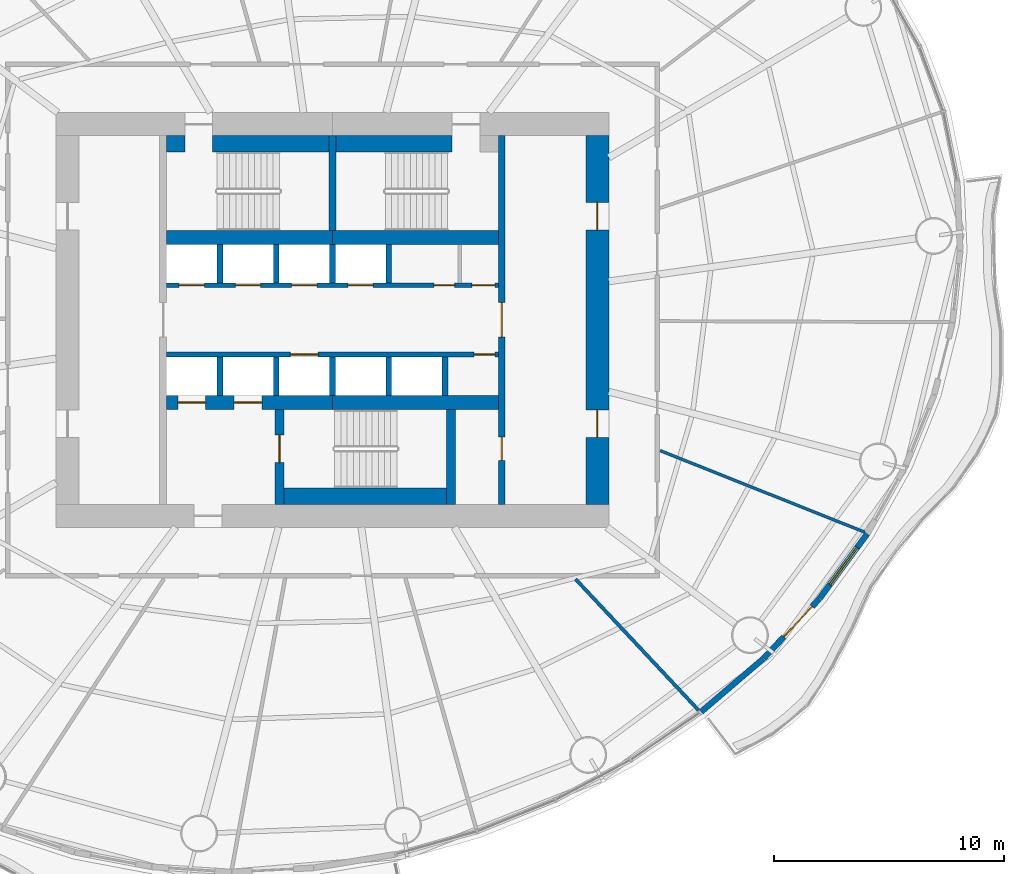
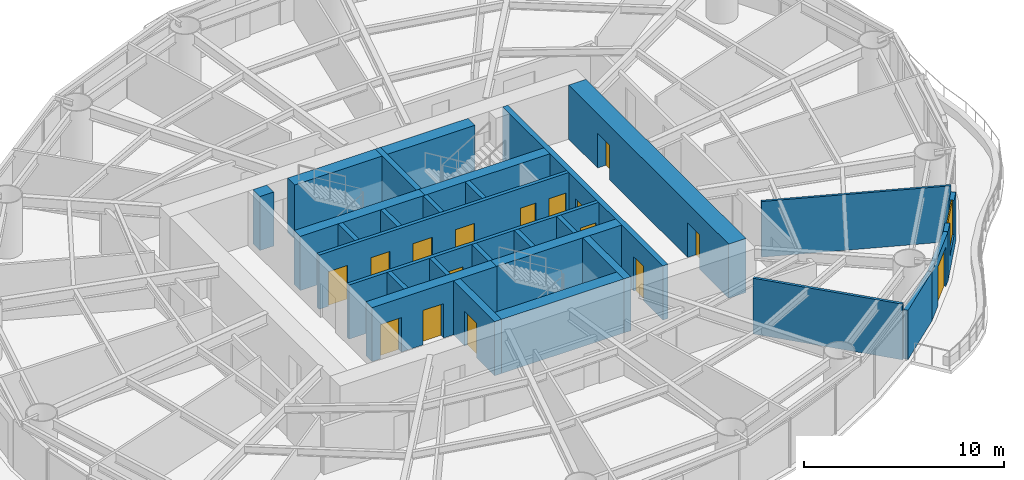
# One storey, part 9 of 14: 29 walls, 16 doors, 1 window, 17 openings.
"""IFC4 building model written with IfcOpenShell, lengths in metres."""

from ifc_helpers import new_model, si_unit, direction, frame, frame_2d, origin, place, context, subcontext, project, spatial, rectangle, extrude, material, layer, layer_set, type_object, element, fill, save


model = new_model("IFC4")

# Units and contexts
model_context = context("Model", 3, precision=1e-05, world=origin(), true_north=direction((0.0, 1.0)))
body_context = subcontext(model_context, "Body", "Model", "MODEL_VIEW")
ifc_project = project(units=[si_unit("LENGTHUNIT", "METRE"), si_unit("AREAUNIT", "SQUARE_METRE"), si_unit("VOLUMEUNIT", "CUBIC_METRE"), si_unit("PLANEANGLEUNIT", "RADIAN"), si_unit("MASSUNIT", "GRAM", prefix="KILO")], contexts=[model_context])

# Site, building, storey
site_placement = place(None, origin())
site = spatial("IfcSite", under=ifc_project, at=site_placement, CompositionType="ELEMENT")
building_placement = place(site_placement, origin())
building = spatial("IfcBuilding", under=site, at=building_placement, Name="Vermilion Reach Broadcast Tower", CompositionType="ELEMENT")
storey_placement = place(building_placement, frame((0.0, 0.0, 131.800048828125)))
storey = spatial("IfcBuildingStorey", under=building, at=storey_placement, Name="L31", CompositionType="ELEMENT", Elevation=131.800048828125)

# Wall, openings, doors
ifc_material_1 = material(Name="Concrete C70", Category="concrete")
ifc_layer_1 = layer(ifc_material_1, 0.300048828125)
ifc_layer_set_1 = layer_set([ifc_layer_1], Name="Core inner wall 300 mm Concrete C70")
wall_type_1 = type_object("IfcWallType", Name="Core inner wall 300 mm Concrete C70", PredefinedType="SHEAR", material=ifc_layer_set_1)
wall_1_placement = place(storey_placement, frame((1.35009765625, -8.0, 0.0), z_axis=(0.0, 0.0, 1.0), x_axis=(0.0, 1.0, 0.0)))
wall_1 = element("IfcWall", 1, at=wall_1_placement, inside=storey, type_object=wall_type_1, Name="L31 core wall ewE", PredefinedType="SHEAR", context=body_context, shape_type="SweptSolid", body=[
    extrude(rectangle(XDim=16.0, YDim=0.300048828125, at=frame_2d((8.0, 0.0))), origin(), (0.0, 0.0, 1.0), 3.300048828125),
])
opening_1_placement = place(wall_1_placement, frame((1.909912109375, 0.0, 0.0)))
opening_1 = element("IfcOpeningElement", 2, at=opening_1_placement, cuts=wall_1, Name="Opening D05", PredefinedType="OPENING", context=body_context, shape_type="SweptSolid", body=[
    extrude(rectangle(XDim=1.0, YDim=2.10009765625, at=frame_2d((0.5, 1.050048828125))), frame((0.0, 0.159912109375, 0.0), z_axis=(0.0, -1.0, 0.0), x_axis=(1.0, 0.0, 0.0)), (0.0, 0.0, 1.0), 0.320068359375),
])
opening_2_placement = place(wall_1_placement, frame((7.25, 0.0, 0.0)))
opening_2 = element("IfcOpeningElement", 3, at=opening_2_placement, cuts=wall_1, Name="Opening D04", PredefinedType="OPENING", context=body_context, shape_type="SweptSolid", body=[
    extrude(rectangle(XDim=1.5, YDim=2.10009765625, at=frame_2d((0.75, 1.050048828125))), frame((0.0, 0.159912109375, 0.0), z_axis=(0.0, -1.0, 0.0), x_axis=(1.0, 0.0, 0.0)), (0.0, 0.0, 1.0), 0.320068359375),
])
ifc_material_2 = material(Name="Painted steel fire door", Category="steel")
door_type_1 = type_object("IfcDoorType", Name="Lift lobby door 1500 x 2100", OperationType="DOUBLE_DOOR_SINGLE_SWING", PredefinedType="NOTDEFINED", material=ifc_material_2)
door_1_placement = place(opening_2_placement, origin())
door_1 = element("IfcDoor", 4, at=door_1_placement, inside=storey, type_object=door_type_1, Name="L31 band door BE", OperationType="DOUBLE_DOOR_SINGLE_SWING", OverallHeight=2.10009765625, OverallWidth=1.5, PredefinedType="NOTDEFINED", context=body_context, shape_type="SweptSolid", body=[
    extrude(rectangle(XDim=1.5, YDim=2.10009765625, at=frame_2d((0.75, 1.050048828125))), frame((0.0, 0.02490234375, 0.0), z_axis=(0.0, -1.0, 0.0), x_axis=(1.0, 0.0, 0.0)), (0.0, 0.0, 1.0), 0.050048828125),
])
fill(opening_2, door_1)
ifc_material_3 = material(Name="Timber door", Category="wood")
door_type_2 = type_object("IfcDoorType", Name="Room door 1000 x 2100", OperationType="NOTDEFINED", PredefinedType="NOTDEFINED", material=ifc_material_3)
door_2_placement = place(opening_1_placement, origin())
door_2 = element("IfcDoor", 5, at=door_2_placement, inside=storey, type_object=door_type_2, Name="L31 door SER", OperationType="SINGLE_SWING_LEFT", OverallHeight=2.10009765625, OverallWidth=1.0, PredefinedType="NOTDEFINED", context=body_context, shape_type="SweptSolid", body=[
    extrude(rectangle(XDim=1.0, YDim=2.10009765625, at=frame_2d((0.5, 1.050048828125))), frame((0.0, 0.02490234375, 0.0), z_axis=(0.0, -1.0, 0.0), x_axis=(1.0, 0.0, 0.0)), (0.0, 0.0, 1.0), 0.050048828125),
])
fill(opening_1, door_2)

# Wall
wall_2_placement = place(storey_placement, frame((-6.0, 3.8798828125, 0.0), z_axis=(0.0, 0.0, 1.0), x_axis=(0.0, 1.0, 0.0)))
element("IfcWall", 6, at=wall_2_placement, inside=storey, type_object=wall_type_1, Name="L31 core wall wc", PredefinedType="SHEAR", context=body_context, shape_type="SweptSolid", body=[
    extrude(rectangle(XDim=4.1201171875, YDim=0.300048828125, at=frame_2d((2.06005859375, 0.0))), origin(), (0.0, 0.0, 1.0), 3.300048828125),
])

# Wall, opening, door
ifc_material_4 = material(Name="Concrete C70", Category="concrete")
ifc_layer_2 = layer(ifc_material_4, 0.39990234375)
ifc_layer_set_2 = layer_set([ifc_layer_2], Name="Core inner wall 400 mm Concrete C70")
wall_type_2 = type_object("IfcWallType", Name="Core inner wall 400 mm Concrete C70", PredefinedType="SHEAR", material=ifc_layer_set_2)
wall_3_placement = place(storey_placement, frame((-8.300048828125, -3.8798828125, 0.0), z_axis=(0.0, 0.0, 1.0), x_axis=(0.0, -1.0, 0.0)))
wall_3 = element("IfcWall", 7, at=wall_3_placement, inside=storey, type_object=wall_type_2, Name="L31 core wall wa", PredefinedType="SHEAR", context=body_context, shape_type="SweptSolid", body=[
    extrude(rectangle(XDim=4.1201171875, YDim=0.39990234375, at=frame_2d((2.06005859375, 0.0))), origin(), (0.0, 0.0, 1.0), 3.300048828125),
])
opening_3_placement = place(wall_3_placement, frame((1.110107421875, 0.0, 0.0)))
opening_3 = element("IfcOpeningElement", 8, at=opening_3_placement, cuts=wall_3, Name="Opening D01", PredefinedType="OPENING", context=body_context, shape_type="SweptSolid", body=[
    extrude(rectangle(XDim=1.199951171875, YDim=2.10009765625, at=frame_2d((0.60009765625, 1.050048828125))), frame((0.0, 0.2099609375, 0.0), z_axis=(0.0, -1.0, 0.0), x_axis=(1.0, 0.0, 0.0)), (0.0, 0.0, 1.0), 0.419921875),
])
ifc_material_5 = material(Name="Painted steel fire door", Category="steel")
door_type_3 = type_object("IfcDoorType", Name="Stair door 1200 x 2100", OperationType="DOUBLE_DOOR_SINGLE_SWING", PredefinedType="NOTDEFINED", material=ifc_material_5)
door_3_placement = place(opening_3_placement, origin())
door_3 = element("IfcDoor", 9, at=door_3_placement, inside=storey, type_object=door_type_3, Name="L31 stair door ST3", OperationType="DOUBLE_DOOR_SINGLE_SWING", OverallHeight=2.10009765625, OverallWidth=1.199951171875, PredefinedType="NOTDEFINED", context=body_context, shape_type="SweptSolid", body=[
    extrude(rectangle(XDim=1.199951171875, YDim=2.10009765625, at=frame_2d((0.60009765625, 1.050048828125))), frame((0.0, 0.02490234375, 0.0), z_axis=(0.0, -1.0, 0.0), x_axis=(1.0, 0.0, 0.0)), (0.0, 0.0, 1.0), 0.050048828125),
])
fill(opening_3, door_3)

# Walls
wall_4_placement = place(storey_placement, frame((-0.85009765625, -3.8798828125, 0.0), z_axis=(0.0, 0.0, 1.0), x_axis=(0.0, -1.0, 0.0)))
element("IfcWall", 10, at=wall_4_placement, inside=storey, type_object=wall_type_2, Name="L31 core wall wb", PredefinedType="SHEAR", context=body_context, shape_type="SweptSolid", body=[
    extrude(rectangle(XDim=4.1201171875, YDim=0.39990234375, at=frame_2d((2.06005859375, 0.0))), origin(), (0.0, 0.0, 1.0), 3.300048828125),
])
ifc_material_6 = material(Name="Concrete C70", Category="concrete")
ifc_layer_3 = layer(ifc_material_6, 0.60009765625)
ifc_layer_set_3 = layer_set([ifc_layer_3], Name="Core inner wall 600 mm Concrete C70")
wall_type_3 = type_object("IfcWallType", Name="Core inner wall 600 mm Concrete C70", PredefinedType="SHEAR", material=ifc_layer_set_3)
for number, where, z_axis, x_axis, name in (
    (11, (-13.199951171875, 3.580078125, 0.0), (0.0, 0.0, 1.0), (1.0, 0.0, 0.0), "L31 core wall winW"),
    (12, (-6.0, 3.580078125, 0.0), (0.0, 0.0, 1.0), (1.0, 0.0, 0.0), "L31 core wall winE"),
):
    element("IfcWall", number, at=place(storey_placement, frame(where, z_axis=z_axis, x_axis=x_axis)), inside=storey, type_object=wall_type_3, Name=name, PredefinedType="SHEAR", context=body_context, shape_type="SweptSolid", body=[
        extrude(rectangle(XDim=7.199951171875, YDim=0.60009765625, at=frame_2d((3.60009765625, 0.0))), origin(), (0.0, 0.0, 1.0), 3.300048828125),
    ])

# Wall, openings, doors
wall_5_placement = place(storey_placement, frame((-13.199951171875, -3.580078125, 0.0), z_axis=(0.0, 0.0, 1.0), x_axis=(1.0, 0.0, 0.0)))
wall_5 = element("IfcWall", 13, at=wall_5_placement, inside=storey, type_object=wall_type_3, Name="L31 core wall wisW", PredefinedType="SHEAR", context=body_context, shape_type="SweptSolid", body=[
    extrude(rectangle(XDim=7.199951171875, YDim=0.60009765625, at=frame_2d((3.60009765625, 0.0))), origin(), (0.0, 0.0, 1.0), 3.300048828125),
])
opening_4_placement = place(wall_5_placement, frame((0.495849609375, 0.0, 0.0)))
opening_4 = element("IfcOpeningElement", 14, at=opening_4_placement, cuts=wall_5, Name="Opening LD1", PredefinedType="OPENING", context=body_context, shape_type="SweptSolid", body=[
    extrude(rectangle(XDim=1.199951171875, YDim=2.10009765625, at=frame_2d((0.60009765625, 1.050048828125))), frame((0.0, 0.31005859375, 0.0), z_axis=(0.0, -1.0, 0.0), x_axis=(1.0, 0.0, 0.0)), (0.0, 0.0, 1.0), 0.6201171875),
])
opening_5_placement = place(wall_5_placement, frame((2.9375, 0.0, 0.0)))
opening_5 = element("IfcOpeningElement", 15, at=opening_5_placement, cuts=wall_5, Name="Opening LD1", PredefinedType="OPENING", context=body_context, shape_type="SweptSolid", body=[
    extrude(rectangle(XDim=1.199951171875, YDim=2.10009765625, at=frame_2d((0.60009765625, 1.050048828125))), frame((0.0, 0.31005859375, 0.0), z_axis=(0.0, -1.0, 0.0), x_axis=(1.0, 0.0, 0.0)), (0.0, 0.0, 1.0), 0.6201171875),
])
ifc_material_7 = material(Name="Stainless steel", Category="steel")
door_type_4 = type_object("IfcDoorType", Name="Landing door 1200 x 2100", OperationType="DOUBLE_DOOR_SLIDING", PredefinedType="NOTDEFINED", material=ifc_material_7)
door_4_placement = place(opening_4_placement, origin())
door_4 = element("IfcDoor", 16, at=door_4_placement, inside=storey, type_object=door_type_4, Name="L31 landing door FF1", OperationType="DOUBLE_DOOR_SLIDING", OverallHeight=2.10009765625, OverallWidth=1.199951171875, PredefinedType="NOTDEFINED", context=body_context, shape_type="SweptSolid", body=[
    extrude(rectangle(XDim=1.199951171875, YDim=2.10009765625, at=frame_2d((0.60009765625, 1.050048828125))), frame((0.0, 0.02490234375, 0.0), z_axis=(0.0, -1.0, 0.0), x_axis=(1.0, 0.0, 0.0)), (0.0, 0.0, 1.0), 0.050048828125),
])
fill(opening_4, door_4)
door_5_placement = place(opening_5_placement, origin())
door_5 = element("IfcDoor", 17, at=door_5_placement, inside=storey, type_object=door_type_4, Name="L31 landing door FF2", OperationType="DOUBLE_DOOR_SLIDING", OverallHeight=2.10009765625, OverallWidth=1.199951171875, PredefinedType="NOTDEFINED", context=body_context, shape_type="SweptSolid", body=[
    extrude(rectangle(XDim=1.199951171875, YDim=2.10009765625, at=frame_2d((0.60009765625, 1.050048828125))), frame((0.0, 0.02490234375, 0.0), z_axis=(0.0, -1.0, 0.0), x_axis=(1.0, 0.0, 0.0)), (0.0, 0.0, 1.0), 0.050048828125),
])
fill(opening_5, door_5)

# Wall
wall_6_placement = place(storey_placement, frame((-6.0, -3.580078125, 0.0), z_axis=(0.0, 0.0, 1.0), x_axis=(1.0, 0.0, 0.0)))
element("IfcWall", 18, at=wall_6_placement, inside=storey, type_object=wall_type_3, Name="L31 core wall wisE", PredefinedType="SHEAR", context=body_context, shape_type="SweptSolid", body=[
    extrude(rectangle(XDim=7.199951171875, YDim=0.60009765625, at=frame_2d((3.60009765625, 0.0))), origin(), (0.0, 0.0, 1.0), 3.300048828125),
])

# Wall, openings, doors
ifc_material_8 = material(Name="Concrete C70", Category="concrete")
ifc_layer_4 = layer(ifc_material_8, 1.0)
ifc_layer_set_4 = layer_set([ifc_layer_4], Name="Core outer wall 1000 mm Concrete C70")
wall_type_4 = type_object("IfcWallType", Name="Core outer wall 1000 mm Concrete C70", PredefinedType="SHEAR", material=ifc_layer_set_4)
wall_7_placement = place(storey_placement, frame((5.5, -8.0, 0.0), z_axis=(0.0, 0.0, 1.0), x_axis=(0.0, 1.0, 0.0)))
wall_7 = element("IfcWall", 19, at=wall_7_placement, inside=storey, type_object=wall_type_4, Name="L31 core wall oe", PredefinedType="SHEAR", context=body_context, shape_type="SweptSolid", body=[
    extrude(rectangle(XDim=16.0, YDim=1.0, at=frame_2d((8.0, 0.0))), origin(), (0.0, 0.0, 1.0), 3.300048828125),
])
opening_6_placement = place(wall_7_placement, frame((2.89990234375, 0.0, 0.0)))
opening_6 = element("IfcOpeningElement", 20, at=opening_6_placement, cuts=wall_7, Name="Opening D03", PredefinedType="OPENING", context=body_context, shape_type="SweptSolid", body=[
    extrude(rectangle(XDim=1.199951171875, YDim=2.10009765625, at=frame_2d((0.60009765625, 1.050048828125))), frame((0.0, 0.510009765625, 0.0), z_axis=(0.0, -1.0, 0.0), x_axis=(1.0, 0.0, 0.0)), (0.0, 0.0, 1.0), 1.02001953125),
])
opening_7_placement = place(wall_7_placement, frame((11.89990234375, 0.0, 0.0)))
opening_7 = element("IfcOpeningElement", 21, at=opening_7_placement, cuts=wall_7, Name="Opening D03", PredefinedType="OPENING", context=body_context, shape_type="SweptSolid", body=[
    extrude(rectangle(XDim=1.199951171875, YDim=2.10009765625, at=frame_2d((0.60009765625, 1.050048828125))), frame((0.0, 0.510009765625, 0.0), z_axis=(0.0, -1.0, 0.0), x_axis=(1.0, 0.0, 0.0)), (0.0, 0.0, 1.0), 1.02001953125),
])
ifc_material_9 = material(Name="Painted steel fire door", Category="steel")
door_type_5 = type_object("IfcDoorType", Name="Core lobby door 1200 x 2100", OperationType="DOUBLE_DOOR_SINGLE_SWING", PredefinedType="NOTDEFINED", material=ifc_material_9)
door_6_placement = place(opening_6_placement, origin())
door_6 = element("IfcDoor", 22, at=door_6_placement, inside=storey, type_object=door_type_5, Name="L31 slot door E0", OperationType="DOUBLE_DOOR_SINGLE_SWING", OverallHeight=2.10009765625, OverallWidth=1.199951171875, PredefinedType="NOTDEFINED", context=body_context, shape_type="SweptSolid", body=[
    extrude(rectangle(XDim=1.199951171875, YDim=2.10009765625, at=frame_2d((0.60009765625, 1.050048828125))), frame((0.0, 0.02490234375, 0.0), z_axis=(0.0, -1.0, 0.0), x_axis=(1.0, 0.0, 0.0)), (0.0, 0.0, 1.0), 0.050048828125),
])
fill(opening_6, door_6)
door_7_placement = place(opening_7_placement, origin())
door_7 = element("IfcDoor", 23, at=door_7_placement, inside=storey, type_object=door_type_5, Name="L31 slot door E1", OperationType="DOUBLE_DOOR_SINGLE_SWING", OverallHeight=2.10009765625, OverallWidth=1.199951171875, PredefinedType="NOTDEFINED", context=body_context, shape_type="SweptSolid", body=[
    extrude(rectangle(XDim=1.199951171875, YDim=2.10009765625, at=frame_2d((0.60009765625, 1.050048828125))), frame((0.0, 0.02490234375, 0.0), z_axis=(0.0, -1.0, 0.0), x_axis=(1.0, 0.0, 0.0)), (0.0, 0.0, 1.0), 0.050048828125),
])
fill(opening_7, door_7)

ifc_material_10 = material(Name="Concrete C50", Category="concrete")
ifc_layer_5 = layer(ifc_material_10, 0.199951171875)
ifc_layer_set_5 = layer_set([ifc_layer_5], Name="Core shaft wall 200 mm Concrete C50")
wall_type_5 = type_object("IfcWallType", Name="Core shaft wall 200 mm Concrete C50", PredefinedType="SHEAR", material=ifc_layer_set_5)
wall_8_placement = place(storey_placement, frame((-13.199951171875, 1.5, 0.0), z_axis=(0.0, 0.0, 1.0), x_axis=(1.0, 0.0, 0.0)))
wall_8 = element("IfcWall", 24, at=wall_8_placement, inside=storey, type_object=wall_type_5, Name="L31 core wall fn", PredefinedType="SHEAR", context=body_context, shape_type="SweptSolid", body=[
    extrude(rectangle(XDim=14.39990234375, YDim=0.199951171875, at=frame_2d((7.199951171875, 0.0))), origin(), (0.0, 0.0, 1.0), 3.300048828125),
])
opening_8_placement = place(wall_8_placement, frame((0.5458984375, 0.0, 0.0)))
opening_8 = element("IfcOpeningElement", 25, at=opening_8_placement, cuts=wall_8, Name="Opening LD2", PredefinedType="OPENING", context=body_context, shape_type="SweptSolid", body=[
    extrude(rectangle(XDim=1.10009765625, YDim=2.10009765625, at=frame_2d((0.550048828125, 1.050048828125))), frame((0.0, 0.10986328125, 0.0), z_axis=(0.0, -1.0, 0.0), x_axis=(1.0, 0.0, 0.0)), (0.0, 0.0, 1.0), 0.219970703125),
])
opening_9_placement = place(wall_8_placement, frame((2.987548828125, 0.0, 0.0)))
opening_9 = element("IfcOpeningElement", 26, at=opening_9_placement, cuts=wall_8, Name="Opening LD2", PredefinedType="OPENING", context=body_context, shape_type="SweptSolid", body=[
    extrude(rectangle(XDim=1.10009765625, YDim=2.10009765625, at=frame_2d((0.550048828125, 1.050048828125))), frame((0.0, 0.10986328125, 0.0), z_axis=(0.0, -1.0, 0.0), x_axis=(1.0, 0.0, 0.0)), (0.0, 0.0, 1.0), 0.219970703125),
])
opening_10_placement = place(wall_8_placement, frame((5.42919921875, 0.0, 0.0)))
opening_10 = element("IfcOpeningElement", 27, at=opening_10_placement, cuts=wall_8, Name="Opening LD2", PredefinedType="OPENING", context=body_context, shape_type="SweptSolid", body=[
    extrude(rectangle(XDim=1.10009765625, YDim=2.10009765625, at=frame_2d((0.550048828125, 1.050048828125))), frame((0.0, 0.10986328125, 0.0), z_axis=(0.0, -1.0, 0.0), x_axis=(1.0, 0.0, 0.0)), (0.0, 0.0, 1.0), 0.219970703125),
])
opening_11_placement = place(wall_8_placement, frame((7.870849609375, 0.0, 0.0)))
opening_11 = element("IfcOpeningElement", 28, at=opening_11_placement, cuts=wall_8, Name="Opening LD2", PredefinedType="OPENING", context=body_context, shape_type="SweptSolid", body=[
    extrude(rectangle(XDim=1.10009765625, YDim=2.10009765625, at=frame_2d((0.550048828125, 1.050048828125))), frame((0.0, 0.10986328125, 0.0), z_axis=(0.0, -1.0, 0.0), x_axis=(1.0, 0.0, 0.0)), (0.0, 0.0, 1.0), 0.219970703125),
])
opening_12_placement = place(wall_8_placement, frame((11.60693359375, 0.0, 0.0)))
opening_12 = element("IfcOpeningElement", 29, at=opening_12_placement, cuts=wall_8, Name="Opening D06", PredefinedType="OPENING", context=body_context, shape_type="SweptSolid", body=[
    extrude(rectangle(XDim=0.89990234375, YDim=2.10009765625, at=frame_2d((0.449951171875, 1.050048828125))), frame((0.0, 0.10986328125, 0.0), z_axis=(0.0, -1.0, 0.0), x_axis=(1.0, 0.0, 0.0)), (0.0, 0.0, 1.0), 0.219970703125),
])
opening_13_placement = place(wall_8_placement, frame((13.25, 0.0, 0.0)))
opening_13 = element("IfcOpeningElement", 30, at=opening_13_placement, cuts=wall_8, Name="Opening D07", PredefinedType="OPENING", context=body_context, shape_type="SweptSolid", body=[
    extrude(rectangle(XDim=1.0, YDim=2.10009765625, at=frame_2d((0.5, 1.050048828125))), frame((0.0, 0.10986328125, 0.0), z_axis=(0.0, -1.0, 0.0), x_axis=(1.0, 0.0, 0.0)), (0.0, 0.0, 1.0), 0.219970703125),
])
ifc_material_11 = material(Name="Timber door", Category="wood")
door_type_6 = type_object("IfcDoorType", Name="Accessible WC door 1000 x 2100", OperationType="NOTDEFINED", PredefinedType="NOTDEFINED", material=ifc_material_11)
door_8_placement = place(opening_13_placement, origin())
door_8 = element("IfcDoor", 31, at=door_8_placement, inside=storey, type_object=door_type_6, Name="L31 door Accessible WC", OperationType="SINGLE_SWING_RIGHT", OverallHeight=2.10009765625, OverallWidth=1.0, PredefinedType="NOTDEFINED", context=body_context, shape_type="SweptSolid", body=[
    extrude(rectangle(XDim=1.0, YDim=2.10009765625, at=frame_2d((0.5, 1.050048828125))), frame((0.0, 0.02490234375, 0.0), z_axis=(0.0, -1.0, 0.0), x_axis=(1.0, 0.0, 0.0)), (0.0, 0.0, 1.0), 0.050048828125),
])
fill(opening_13, door_8)
ifc_material_12 = material(Name="Stainless steel", Category="steel")
door_type_7 = type_object("IfcDoorType", Name="Landing door 1100 x 2100", OperationType="DOUBLE_DOOR_SLIDING", PredefinedType="NOTDEFINED", material=ifc_material_12)
door_9_placement = place(opening_8_placement, origin())
door_9 = element("IfcDoor", 32, at=door_9_placement, inside=storey, type_object=door_type_7, Name="L31 landing door LR1", OperationType="DOUBLE_DOOR_SLIDING", OverallHeight=2.10009765625, OverallWidth=1.10009765625, PredefinedType="NOTDEFINED", context=body_context, shape_type="SweptSolid", body=[
    extrude(rectangle(XDim=1.10009765625, YDim=2.10009765625, at=frame_2d((0.550048828125, 1.050048828125))), frame((0.0, 0.02490234375, 0.0), z_axis=(0.0, -1.0, 0.0), x_axis=(1.0, 0.0, 0.0)), (0.0, 0.0, 1.0), 0.050048828125),
])
fill(opening_8, door_9)
door_10_placement = place(opening_9_placement, origin())
door_10 = element("IfcDoor", 33, at=door_10_placement, inside=storey, type_object=door_type_7, Name="L31 landing door LR2", OperationType="DOUBLE_DOOR_SLIDING", OverallHeight=2.10009765625, OverallWidth=1.10009765625, PredefinedType="NOTDEFINED", context=body_context, shape_type="SweptSolid", body=[
    extrude(rectangle(XDim=1.10009765625, YDim=2.10009765625, at=frame_2d((0.550048828125, 1.050048828125))), frame((0.0, 0.02490234375, 0.0), z_axis=(0.0, -1.0, 0.0), x_axis=(1.0, 0.0, 0.0)), (0.0, 0.0, 1.0), 0.050048828125),
])
fill(opening_9, door_10)
door_11_placement = place(opening_10_placement, origin())
door_11 = element("IfcDoor", 34, at=door_11_placement, inside=storey, type_object=door_type_7, Name="L31 landing door LR3", OperationType="DOUBLE_DOOR_SLIDING", OverallHeight=2.10009765625, OverallWidth=1.10009765625, PredefinedType="NOTDEFINED", context=body_context, shape_type="SweptSolid", body=[
    extrude(rectangle(XDim=1.10009765625, YDim=2.10009765625, at=frame_2d((0.550048828125, 1.050048828125))), frame((0.0, 0.02490234375, 0.0), z_axis=(0.0, -1.0, 0.0), x_axis=(1.0, 0.0, 0.0)), (0.0, 0.0, 1.0), 0.050048828125),
])
fill(opening_10, door_11)
door_12_placement = place(opening_11_placement, origin())
door_12 = element("IfcDoor", 35, at=door_12_placement, inside=storey, type_object=door_type_7, Name="L31 landing door LR4", OperationType="DOUBLE_DOOR_SLIDING", OverallHeight=2.10009765625, OverallWidth=1.10009765625, PredefinedType="NOTDEFINED", context=body_context, shape_type="SweptSolid", body=[
    extrude(rectangle(XDim=1.10009765625, YDim=2.10009765625, at=frame_2d((0.550048828125, 1.050048828125))), frame((0.0, 0.02490234375, 0.0), z_axis=(0.0, -1.0, 0.0), x_axis=(1.0, 0.0, 0.0)), (0.0, 0.0, 1.0), 0.050048828125),
])
fill(opening_11, door_12)
ifc_material_13 = material(Name="Timber door", Category="wood")
door_type_8 = type_object("IfcDoorType", Name="WC door 900 x 2100", OperationType="NOTDEFINED", PredefinedType="NOTDEFINED", material=ifc_material_13)
door_13_placement = place(opening_12_placement, origin())
door_13 = element("IfcDoor", 36, at=door_13_placement, inside=storey, type_object=door_type_8, Name="L31 door Female WC", OperationType="SINGLE_SWING_RIGHT", OverallHeight=2.10009765625, OverallWidth=0.89990234375, PredefinedType="NOTDEFINED", context=body_context, shape_type="SweptSolid", body=[
    extrude(rectangle(XDim=0.89990234375, YDim=2.10009765625, at=frame_2d((0.449951171875, 1.050048828125))), frame((0.0, 0.02490234375, 0.0), z_axis=(0.0, -1.0, 0.0), x_axis=(1.0, 0.0, 0.0)), (0.0, 0.0, 1.0), 0.050048828125),
])
fill(opening_12, door_13)

wall_9_placement = place(storey_placement, frame((1.199951171875, -1.5, 0.0), z_axis=(0.0, 0.0, 1.0), x_axis=(-1.0, 0.0, 0.0)))
wall_9 = element("IfcWall", 37, at=wall_9_placement, inside=storey, type_object=wall_type_5, Name="L31 core wall fs", PredefinedType="SHEAR", context=body_context, shape_type="SweptSolid", body=[
    extrude(rectangle(XDim=14.39990234375, YDim=0.199951171875, at=frame_2d((7.199951171875, 0.0))), origin(), (0.0, 0.0, 1.0), 3.300048828125),
])
opening_14_placement = place(wall_9_placement, frame((7.82080078125, 0.0, 0.0)))
opening_14 = element("IfcOpeningElement", 38, at=opening_14_placement, cuts=wall_9, Name="Opening LD1", PredefinedType="OPENING", context=body_context, shape_type="SweptSolid", body=[
    extrude(rectangle(XDim=1.199951171875, YDim=2.10009765625, at=frame_2d((0.60009765625, 1.050048828125))), frame((0.0, 0.10986328125, 0.0), z_axis=(0.0, -1.0, 0.0), x_axis=(1.0, 0.0, 0.0)), (0.0, 0.0, 1.0), 0.219970703125),
])
opening_15_placement = place(wall_9_placement, frame((0.14990234375, 0.0, 0.0)))
opening_15 = element("IfcOpeningElement", 39, at=opening_15_placement, cuts=wall_9, Name="Opening D06", PredefinedType="OPENING", context=body_context, shape_type="SweptSolid", body=[
    extrude(rectangle(XDim=0.89990234375, YDim=2.10009765625, at=frame_2d((0.449951171875, 1.050048828125))), frame((0.0, 0.10986328125, 0.0), z_axis=(0.0, -1.0, 0.0), x_axis=(1.0, 0.0, 0.0)), (0.0, 0.0, 1.0), 0.219970703125),
])
door_14_placement = place(opening_14_placement, origin())
door_14 = element("IfcDoor", 40, at=door_14_placement, inside=storey, type_object=door_type_4, Name="L31 landing door SV1", OperationType="DOUBLE_DOOR_SLIDING", OverallHeight=2.10009765625, OverallWidth=1.199951171875, PredefinedType="NOTDEFINED", context=body_context, shape_type="SweptSolid", body=[
    extrude(rectangle(XDim=1.199951171875, YDim=2.10009765625, at=frame_2d((0.60009765625, 1.050048828125))), frame((0.0, 0.02490234375, 0.0), z_axis=(0.0, -1.0, 0.0), x_axis=(1.0, 0.0, 0.0)), (0.0, 0.0, 1.0), 0.050048828125),
])
fill(opening_14, door_14)
door_15_placement = place(opening_15_placement, origin())
door_15 = element("IfcDoor", 41, at=door_15_placement, inside=storey, type_object=door_type_8, Name="L31 door Male WC", OperationType="SINGLE_SWING_LEFT", OverallHeight=2.10009765625, OverallWidth=0.89990234375, PredefinedType="NOTDEFINED", context=body_context, shape_type="SweptSolid", body=[
    extrude(rectangle(XDim=0.89990234375, YDim=2.10009765625, at=frame_2d((0.449951171875, 1.050048828125))), frame((0.0, 0.02490234375, 0.0), z_axis=(0.0, -1.0, 0.0), x_axis=(1.0, 0.0, 0.0)), (0.0, 0.0, 1.0), 0.050048828125),
])
fill(opening_15, door_15)

# Walls
ifc_material_14 = material(Name="Concrete C50", Category="concrete")
ifc_layer_6 = layer(ifc_material_14, 0.25)
ifc_layer_set_6 = layer_set([ifc_layer_6], Name="Core shaft wall 250 mm Concrete C50")
wall_type_6 = type_object("IfcWallType", Name="Core shaft wall 250 mm Concrete C50", PredefinedType="SHEAR", material=ifc_layer_set_6)
for number, where, z_axis, x_axis, name in (
    (42, (-10.88330078125, 1.60009765625, 0.0), (0.0, 0.0, 1.0), (0.0, 1.0, 0.0), "L31 core wall psN0"),
    (43, (-8.441650390625, 1.60009765625, 0.0), (0.0, 0.0, 1.0), (0.0, 1.0, 0.0), "L31 core wall psN1"),
    (44, (-6.0, 1.60009765625, 0.0), (0.0, 0.0, 1.0), (0.0, 1.0, 0.0), "L31 core wall psN2"),
    (45, (-3.558349609375, 1.60009765625, 0.0), (0.0, 0.0, 1.0), (0.0, 1.0, 0.0), "L31 core wall psN3"),
    (46, (-10.88330078125, -1.60009765625, 0.0), (0.0, 0.0, 1.0), (0.0, -1.0, 0.0), "L31 core wall psS0"),
    (47, (-8.441650390625, -1.60009765625, 0.0), (0.0, 0.0, 1.0), (0.0, -1.0, 0.0), "L31 core wall psS1"),
    (48, (-6.0, -1.60009765625, 0.0), (0.0, 0.0, 1.0), (0.0, -1.0, 0.0), "L31 core wall psS2"),
    (49, (-3.558349609375, -1.60009765625, 0.0), (0.0, 0.0, 1.0), (0.0, -1.0, 0.0), "L31 core wall psS3"),
    (50, (-1.11669921875, -1.60009765625, 0.0), (0.0, 0.0, 1.0), (0.0, -1.0, 0.0), "L31 core wall psS4"),
):
    element("IfcWall", number, at=place(storey_placement, frame(where, z_axis=z_axis, x_axis=x_axis)), inside=storey, type_object=wall_type_6, Name=name, PredefinedType="SHEAR", context=body_context, shape_type="SweptSolid", body=[
        extrude(rectangle(XDim=1.679931640625, YDim=0.25, at=frame_2d((0.83984375, 0.0))), origin(), (0.0, 0.0, 1.0), 3.300048828125),
    ])
ifc_material_15 = material(Name="Concrete C70", Category="concrete")
ifc_layer_7 = layer(ifc_material_15, 0.699951171875)
ifc_layer_set_7 = layer_set([ifc_layer_7], Name="Core stair wall 700 mm Concrete C70")
wall_type_7 = type_object("IfcWallType", Name="Core stair wall 700 mm Concrete C70", PredefinedType="SHEAR", material=ifc_layer_set_7)
wall_10_placement = place(storey_placement, frame((-13.199951171875, 7.64990234375, 0.0), z_axis=(0.0, 0.0, 1.0), x_axis=(1.0, 0.0, 0.0)))
element("IfcWall", 51, at=wall_10_placement, inside=storey, type_object=wall_type_7, Name="L31 core wall l1a", PredefinedType="SHEAR", context=body_context, shape_type="SweptSolid", body=[
    extrude(rectangle(XDim=0.800048828125, YDim=0.699951171875, at=frame_2d((0.39990234375, 0.0))), origin(), (0.0, 0.0, 1.0), 3.300048828125),
])
for number, where, z_axis, x_axis, name in (
    (52, (-11.199951171875, 7.64990234375, 0.0), (0.0, 0.0, 1.0), (1.0, 0.0, 0.0), "L31 core wall l1b"),
    (53, (-5.85009765625, 7.64990234375, 0.0), (0.0, 0.0, 1.0), (1.0, 0.0, 0.0), "L31 core wall l2a"),
):
    element("IfcWall", number, at=place(storey_placement, frame(where, z_axis=z_axis, x_axis=x_axis)), inside=storey, type_object=wall_type_7, Name=name, PredefinedType="SHEAR", context=body_context, shape_type="SweptSolid", body=[
        extrude(rectangle(XDim=5.050048828125, YDim=0.699951171875, at=frame_2d((2.52490234375, 0.0))), origin(), (0.0, 0.0, 1.0), 3.300048828125),
    ])
wall_11_placement = place(storey_placement, frame((-8.10009765625, -7.64990234375, 0.0), z_axis=(0.0, 0.0, 1.0), x_axis=(1.0, 0.0, 0.0)))
element("IfcWall", 54, at=wall_11_placement, inside=storey, type_object=wall_type_7, Name="L31 core wall l3", PredefinedType="SHEAR", context=body_context, shape_type="SweptSolid", body=[
    extrude(rectangle(XDim=7.050048828125, YDim=0.699951171875, at=frame_2d((3.52490234375, 0.0))), origin(), (0.0, 0.0, 1.0), 3.300048828125),
])
ifc_material_16 = material(Name="Fire-rated plasterboard on steel stud", Category="steel")
ifc_layer_8 = layer(ifc_material_16, 0.125)
ifc_layer_set_8 = layer_set([ifc_layer_8], Name="Partition 125 fire-rated stud")
wall_type_8 = type_object("IfcWallType", Name="Partition 125 fire-rated stud", PredefinedType="PARTITIONING", material=ifc_layer_set_8)
wall_12_placement = place(storey_placement, frame((17.110107421875, -9.213134765625, 0.0), z_axis=(0.0, 0.0, 1.0), x_axis=(-0.928901976751, 0.370325691234, 0.0)))
element("IfcWall", 55, at=wall_12_placement, inside=storey, type_object=wall_type_8, Name="Partition 31.14", PredefinedType="PARTITIONING", context=body_context, shape_type="SweptSolid", body=[
    extrude(rectangle(XDim=9.567138671875, YDim=0.125, at=frame_2d((4.78369140625, 0.0))), origin(), (0.0, 0.0, 1.0), 3.39990234375),
])
ifc_material_17 = material(Name="Lightweight concrete block, plastered", Category="concrete")
ifc_layer_9 = layer(ifc_material_17, 0.14990234375)
ifc_layer_set_9 = layer_set([ifc_layer_9], Name="Partition 150 lightweight block")
wall_type_9 = type_object("IfcWallType", Name="Partition 150 lightweight block", PredefinedType="PARTITIONING", material=ifc_layer_set_9)
wall_13_placement = place(storey_placement, frame((9.893310546875, -16.94140625, 0.0), z_axis=(0.0, 0.0, 1.0), x_axis=(-0.684185696534, 0.729307844917, 0.0)))
element("IfcWall", 56, at=wall_13_placement, inside=storey, type_object=wall_type_9, Name="Partition 31.13", PredefinedType="PARTITIONING", context=body_context, shape_type="SweptSolid", body=[
    extrude(rectangle(XDim=7.80224609375, YDim=0.14990234375, at=frame_2d((3.901123046875, 0.0))), origin(), (0.0, 0.0, 1.0), 3.39990234375),
])
ifc_material_18 = material(Name="Terracotta rainscreen cladding", Category="masonry")
ifc_layer_10 = layer(ifc_material_18, 0.25)
ifc_layer_set_10 = layer_set([ifc_layer_10], Name="Terracotta rainscreen wall 250")
wall_type_10 = type_object("IfcWallType", Name="Terracotta rainscreen wall 250", PredefinedType="SOLIDWALL", material=ifc_layer_set_10)
wall_14_placement = place(storey_placement, frame((10.010986328125, -17.0048828125, 0.0), z_axis=(0.0, 0.0, 1.0), x_axis=(0.760361656754, 0.649499923739, 0.0)))
element("IfcWall", 57, at=wall_14_placement, inside=storey, type_object=wall_type_10, Name="External wall L31 38", PredefinedType="SOLIDWALL", context=body_context, shape_type="SweptSolid", body=[
    extrude(rectangle(XDim=3.55224609375, YDim=0.25, at=frame_2d((1.776123046875, 0.0))), origin(), (0.0, 0.0, 1.0), 3.0),
])

# Wall, opening, door
wall_15_placement = place(storey_placement, frame((12.727783203125, -14.6826171875, 0.0), z_axis=(0.0, 0.0, 1.0), x_axis=(0.68242890863, 0.730951971518, 0.0)))
wall_15 = element("IfcWall", 58, at=wall_15_placement, inside=storey, type_object=wall_type_10, Name="External wall L31 39", PredefinedType="SOLIDWALL", context=body_context, shape_type="SweptSolid", body=[
    extrude(rectangle(XDim=3.537109375, YDim=0.25, at=frame_2d((1.7685546875, 0.0))), origin(), (0.0, 0.0, 1.0), 3.0),
])
opening_16_placement = place(wall_15_placement, frame((1.26904296875, 0.0, 0.0)))
opening_16 = element("IfcOpeningElement", 59, at=opening_16_placement, cuts=wall_15, Name="Opening D70", PredefinedType="OPENING", context=body_context, shape_type="SweptSolid", body=[
    extrude(rectangle(XDim=1.800048828125, YDim=2.39990234375, at=frame_2d((0.89990234375, 1.199951171875))), frame((0.0, 0.135009765625, 0.0), z_axis=(0.0, -1.0, 0.0), x_axis=(1.0, 0.0, 0.0)), (0.0, 0.0, 1.0), 0.27001953125),
])
ifc_material_19 = material(Name="Low-e laminated clear glass in aluminium frame", Category="aluminium")
door_type_9 = type_object("IfcDoorType", Name="Balcony sliding door 1800 x 2400", OperationType="DOUBLE_DOOR_SLIDING", PredefinedType="DOOR", material=ifc_material_19)
door_16_placement = place(opening_16_placement, origin())
door_16 = element("IfcDoor", 60, at=door_16_placement, inside=storey, type_object=door_type_9, Name="Balcony door L31 run 10", OperationType="DOUBLE_DOOR_SLIDING", OverallHeight=2.39990234375, OverallWidth=1.800048828125, PredefinedType="DOOR", context=body_context, shape_type="SweptSolid", body=[
    extrude(rectangle(XDim=1.800048828125, YDim=2.39990234375, at=frame_2d((0.89990234375, 1.199951171875))), frame((0.0, 0.02490234375, 0.0), z_axis=(0.0, -1.0, 0.0), x_axis=(1.0, 0.0, 0.0)), (0.0, 0.0, 1.0), 0.050048828125),
])
fill(opening_16, door_16)

# Wall, opening, window
wall_16_placement = place(storey_placement, frame((15.156005859375, -12.079833984375, 0.0), z_axis=(0.0, 0.0, 1.0), x_axis=(0.592551943195, 0.805532243064, 0.0)))
wall_16 = element("IfcWall", 61, at=wall_16_placement, inside=storey, type_object=wall_type_10, Name="External wall L31 40", PredefinedType="SOLIDWALL", context=body_context, shape_type="SweptSolid", body=[
    extrude(rectangle(XDim=3.462890625, YDim=0.25, at=frame_2d((1.7314453125, 0.0))), origin(), (0.0, 0.0, 1.0), 3.0),
])
opening_17_placement = place(wall_16_placement, frame((0.7314453125, 0.0, 0.89990234375)))
opening_17 = element("IfcOpeningElement", 62, at=opening_17_placement, cuts=wall_16, Name="Opening W03", PredefinedType="OPENING", context=body_context, shape_type="SweptSolid", body=[
    extrude(rectangle(XDim=2.0, YDim=2.10009765625, at=frame_2d((1.0, 1.050048828125))), frame((0.0, 0.135009765625, 0.0), z_axis=(0.0, -1.0, 0.0), x_axis=(1.0, 0.0, 0.0)), (0.0, 0.0, 1.0), 0.27001953125),
])
ifc_material_20 = material(Name="Low-e laminated clear glass in aluminium frame", Category="aluminium")
window_type = type_object("IfcWindowType", Name="Punched window 2000 x 2100 sill 900", PartitioningType="SINGLE_PANEL", PredefinedType="WINDOW", material=ifc_material_20)
window_placement = place(opening_17_placement, origin())
window = element("IfcWindow", 63, at=window_placement, inside=storey, type_object=window_type, Name="Window L31 40", OverallHeight=2.10009765625, OverallWidth=2.0, PartitioningType="SINGLE_PANEL", PredefinedType="WINDOW", context=body_context, shape_type="SweptSolid", body=[
    extrude(rectangle(XDim=2.0, YDim=2.10009765625, at=frame_2d((1.0, 1.050048828125))), frame((0.0, 0.030029296875, 0.0), z_axis=(0.0, -1.0, 0.0), x_axis=(1.0, 0.0, 0.0)), (0.0, 0.0, 1.0), 0.06005859375),
])
fill(opening_17, window)

save(model, "model.ifc")
